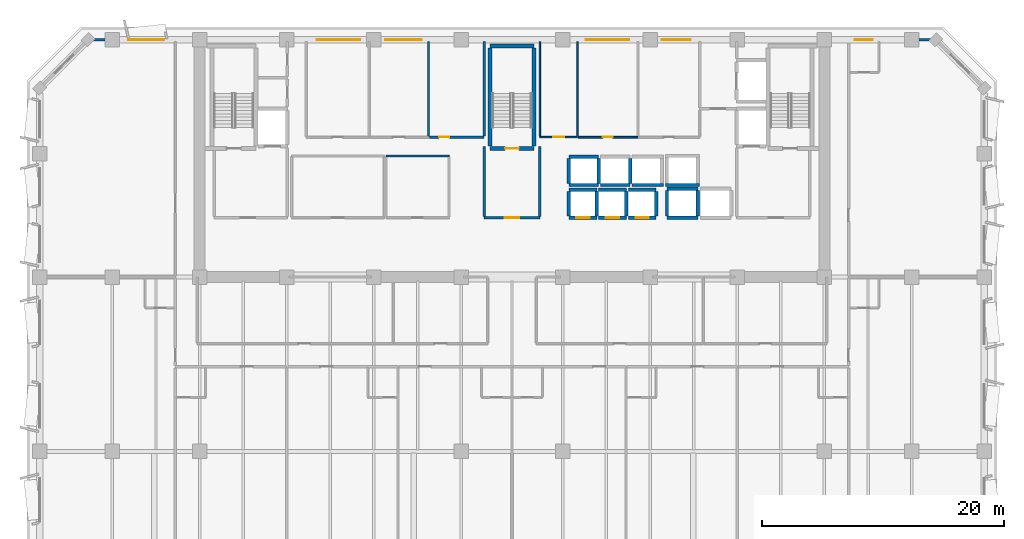
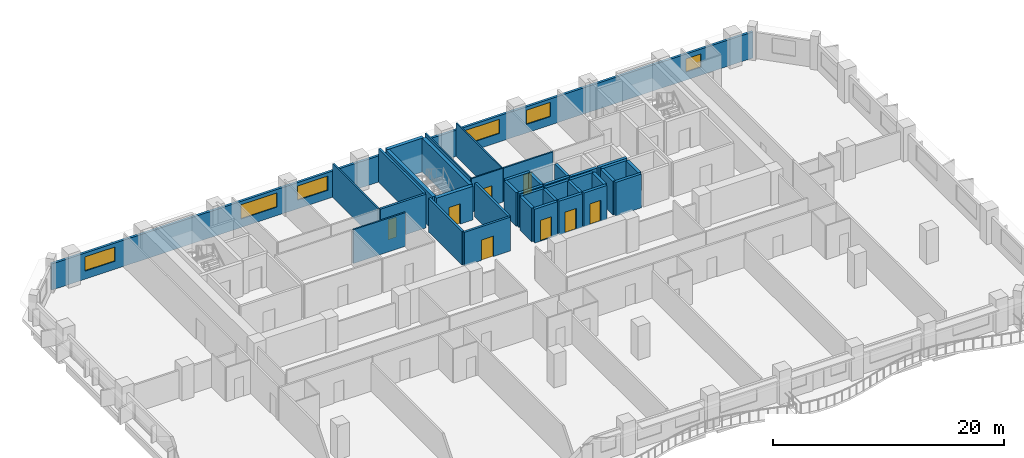
# One storey, part 7 of 14: 38 walls, 8 doors, 6 windows, 14 openings.
"""IFC4 building model written with IfcOpenShell, lengths in metres."""

from ifc_helpers import new_model, si_unit, direction, frame, frame_2d, origin, place, context, subcontext, project, spatial, rectangle, extrude, material, layer, layer_set, type_object, element, fill, save


model = new_model("IFC4")

# Units and contexts
model_context = context("Model", 3, precision=1e-05, world=origin(), true_north=direction((0.0, 1.0)))
body_context = subcontext(model_context, "Body", "Model", "MODEL_VIEW")
ifc_project = project(units=[si_unit("LENGTHUNIT", "METRE"), si_unit("AREAUNIT", "SQUARE_METRE"), si_unit("VOLUMEUNIT", "CUBIC_METRE"), si_unit("PLANEANGLEUNIT", "RADIAN"), si_unit("MASSUNIT", "GRAM", prefix="KILO")], contexts=[model_context])

# Site, building, storey
site_placement = place(None, origin())
site = spatial("IfcSite", under=ifc_project, at=site_placement, CompositionType="ELEMENT")
building_placement = place(site_placement, origin())
building = spatial("IfcBuilding", under=site, at=building_placement, Name="Kaelvorn Grand Hotel", CompositionType="ELEMENT")
storey_placement = place(building_placement, frame((0.0, 0.0, 197.75)))
storey = spatial("IfcBuildingStorey", under=building, at=storey_placement, Name="L48", CompositionType="ELEMENT", Elevation=197.75)

# Wall, openings, windows
ifc_material_1 = material(Name="Concrete C40/50", Category="concrete")
ifc_layer_1 = layer(ifc_material_1, 0.239990234375)
ifc_layer_set_1 = layer_set([ifc_layer_1], Name="Concrete C40/50")
wall_type_1 = type_object("IfcWallType", Name="WL-EXT-240-C40", PredefinedType="SOLIDWALL", material=ifc_layer_set_1)
wall_1_placement = place(storey_placement, frame((77.0, 49.0, 0.0), z_axis=(0.0, 0.0, 1.0), x_axis=(-1.0, 0.0, 0.0)))
wall_1 = element("IfcWall", 1, at=wall_1_placement, inside=storey, type_object=wall_type_1, Name="L48 Exterior Architectural Concrete Wall 05", PredefinedType="SOLIDWALL", context=body_context, shape_type="SweptSolid", body=[
    extrude(rectangle(XDim=70.0, YDim=0.239990234375, at=frame_2d((35.0, 0.0))), origin(), (0.0, 0.0, 1.0), 2.760009765625),
])
opening_1_placement = place(wall_1_placement, frame((63.699951171875, 0.0, 0.85009765625)))
opening_1 = element("IfcOpeningElement", 2, at=opening_1_placement, cuts=wall_1, Name="Opening W5", PredefinedType="OPENING", context=body_context, shape_type="SweptSolid", body=[
    extrude(rectangle(XDim=3.0, YDim=1.5, at=frame_2d((1.5, 0.75))), frame((0.0, 0.1298828125, 0.0), z_axis=(0.0, -1.0, 0.0), x_axis=(1.0, 0.0, 0.0)), (0.0, 0.0, 1.0), 0.260009765625),
])
opening_2_placement = place(wall_1_placement, frame((5.199951171875, 0.0, 0.85009765625)))
opening_2 = element("IfcOpeningElement", 3, at=opening_2_placement, cuts=wall_1, Name="Opening W10", PredefinedType="OPENING", context=body_context, shape_type="SweptSolid", body=[
    extrude(rectangle(XDim=1.5, YDim=1.39990234375, at=frame_2d((0.75, 0.699951171875))), frame((0.0, 0.1298828125, 0.0), z_axis=(0.0, -1.0, 0.0), x_axis=(1.0, 0.0, 0.0)), (0.0, 0.0, 1.0), 0.260009765625),
])
opening_3_placement = place(wall_1_placement, frame((47.514892578125, 0.0, 0.89990234375)))
opening_3 = element("IfcOpeningElement", 4, at=opening_3_placement, cuts=wall_1, Name="Opening W3", PredefinedType="OPENING", context=body_context, shape_type="SweptSolid", body=[
    extrude(rectangle(XDim=3.60009765625, YDim=1.5, at=frame_2d((1.800048828125, 0.75))), frame((0.0, 0.1298828125, 0.0), z_axis=(0.0, -1.0, 0.0), x_axis=(1.0, 0.0, 0.0)), (0.0, 0.0, 1.0), 0.260009765625),
])
opening_4_placement = place(wall_1_placement, frame((42.449951171875, 0.0, 0.89990234375)))
opening_4 = element("IfcOpeningElement", 5, at=opening_4_placement, cuts=wall_1, Name="Opening W5", PredefinedType="OPENING", context=body_context, shape_type="SweptSolid", body=[
    extrude(rectangle(XDim=3.0, YDim=1.5, at=frame_2d((1.5, 0.75))), frame((0.0, 0.1298828125, 0.0), z_axis=(0.0, -1.0, 0.0), x_axis=(1.0, 0.0, 0.0)), (0.0, 0.0, 1.0), 0.260009765625),
])
opening_5_placement = place(wall_1_placement, frame((25.300048828125, 0.0, 0.89990234375)))
opening_5 = element("IfcOpeningElement", 6, at=opening_5_placement, cuts=wall_1, Name="Opening W3", PredefinedType="OPENING", context=body_context, shape_type="SweptSolid", body=[
    extrude(rectangle(XDim=3.60009765625, YDim=1.5, at=frame_2d((1.800048828125, 0.75))), frame((0.0, 0.1298828125, 0.0), z_axis=(0.0, -1.0, 0.0), x_axis=(1.0, 0.0, 0.0)), (0.0, 0.0, 1.0), 0.260009765625),
])
opening_6_placement = place(wall_1_placement, frame((20.235107421875, 0.0, 0.89990234375)))
opening_6 = element("IfcOpeningElement", 7, at=opening_6_placement, cuts=wall_1, Name="Opening W6", PredefinedType="OPENING", context=body_context, shape_type="SweptSolid", body=[
    extrude(rectangle(XDim=2.39990234375, YDim=1.5, at=frame_2d((1.199951171875, 0.75))), frame((0.0, 0.1298828125, 0.0), z_axis=(0.0, -1.0, 0.0), x_axis=(1.0, 0.0, 0.0)), (0.0, 0.0, 1.0), 0.260009765625),
])
ifc_material_2 = material(Name="Laminated Low-E Glass", Category="glass")
window_type_1 = type_object("IfcWindowType", Name="WIN-COR-1500x1400", PartitioningType="SINGLE_PANEL", PredefinedType="WINDOW", material=ifc_material_2)
window_1_placement = place(opening_2_placement, origin())
window_1 = element("IfcWindow", 8, at=window_1_placement, inside=storey, type_object=window_type_1, Name="L48 North Wing Ribbon Window NW02", OverallHeight=1.39990234375, OverallWidth=1.5, PartitioningType="SINGLE_PANEL", PredefinedType="WINDOW", context=body_context, shape_type="SweptSolid", body=[
    extrude(rectangle(XDim=1.5, YDim=1.39990234375, at=frame_2d((0.75, 0.699951171875))), frame((0.0, 0.030029296875, 0.0), z_axis=(0.0, -1.0, 0.0), x_axis=(1.0, 0.0, 0.0)), (0.0, 0.0, 1.0), 0.06005859375),
])
fill(opening_2, window_1)
window_type_2 = type_object("IfcWindowType", Name="WIN-NTH-2400x1500", PartitioningType="SINGLE_PANEL", PredefinedType="WINDOW", material=ifc_material_2)
window_2_placement = place(opening_6_placement, origin())
window_2 = element("IfcWindow", 9, at=window_2_placement, inside=storey, type_object=window_type_2, Name="L48 North Core Clerestory Ribbon Window NC06", OverallHeight=1.5, OverallWidth=2.39990234375, PartitioningType="SINGLE_PANEL", PredefinedType="WINDOW", context=body_context, shape_type="SweptSolid", body=[
    extrude(rectangle(XDim=2.39990234375, YDim=1.5, at=frame_2d((1.199951171875, 0.75))), frame((0.0, 0.030029296875, 0.0), z_axis=(0.0, -1.0, 0.0), x_axis=(1.0, 0.0, 0.0)), (0.0, 0.0, 1.0), 0.06005859375),
])
fill(opening_6, window_2)
window_type_3 = type_object("IfcWindowType", Name="WIN-NTH-3000x1500", PartitioningType="SINGLE_PANEL", PredefinedType="WINDOW", material=ifc_material_2)
window_3_placement = place(opening_1_placement, origin())
window_3 = element("IfcWindow", 10, at=window_3_placement, inside=storey, type_object=window_type_3, Name="L48 North Wing Ribbon Window NW01", OverallHeight=1.5, OverallWidth=3.0, PartitioningType="SINGLE_PANEL", PredefinedType="WINDOW", context=body_context, shape_type="SweptSolid", body=[
    extrude(rectangle(XDim=3.0, YDim=1.5, at=frame_2d((1.5, 0.75))), frame((0.0, 0.030029296875, 0.0), z_axis=(0.0, -1.0, 0.0), x_axis=(1.0, 0.0, 0.0)), (0.0, 0.0, 1.0), 0.06005859375),
])
fill(opening_1, window_3)
window_4_placement = place(opening_4_placement, origin())
window_4 = element("IfcWindow", 11, at=window_4_placement, inside=storey, type_object=window_type_3, Name="L48 North Core Clerestory Ribbon Window NC04", OverallHeight=1.5, OverallWidth=3.0, PartitioningType="SINGLE_PANEL", PredefinedType="WINDOW", context=body_context, shape_type="SweptSolid", body=[
    extrude(rectangle(XDim=3.0, YDim=1.5, at=frame_2d((1.5, 0.75))), frame((0.0, 0.030029296875, 0.0), z_axis=(0.0, -1.0, 0.0), x_axis=(1.0, 0.0, 0.0)), (0.0, 0.0, 1.0), 0.06005859375),
])
fill(opening_4, window_4)
window_type_4 = type_object("IfcWindowType", Name="WIN-RIB-3600x1750", PartitioningType="SINGLE_PANEL", PredefinedType="WINDOW", material=ifc_material_2)
window_5_placement = place(opening_3_placement, origin())
window_5 = element("IfcWindow", 12, at=window_5_placement, inside=storey, type_object=window_type_4, Name="L48 North Core Clerestory Ribbon Window NC03", OverallHeight=1.5, OverallWidth=3.60009765625, PartitioningType="SINGLE_PANEL", PredefinedType="WINDOW", context=body_context, shape_type="SweptSolid", body=[
    extrude(rectangle(XDim=3.60009765625, YDim=1.5, at=frame_2d((1.800048828125, 0.75))), frame((0.0, 0.030029296875, 0.0), z_axis=(0.0, -1.0, 0.0), x_axis=(1.0, 0.0, 0.0)), (0.0, 0.0, 1.0), 0.06005859375),
])
fill(opening_3, window_5)
window_6_placement = place(opening_5_placement, origin())
window_6 = element("IfcWindow", 13, at=window_6_placement, inside=storey, type_object=window_type_4, Name="L48 North Core Clerestory Ribbon Window NC05", OverallHeight=1.5, OverallWidth=3.60009765625, PartitioningType="SINGLE_PANEL", PredefinedType="WINDOW", context=body_context, shape_type="SweptSolid", body=[
    extrude(rectangle(XDim=3.60009765625, YDim=1.5, at=frame_2d((1.800048828125, 0.75))), frame((0.0, 0.030029296875, 0.0), z_axis=(0.0, -1.0, 0.0), x_axis=(1.0, 0.0, 0.0)), (0.0, 0.0, 1.0), 0.06005859375),
])
fill(opening_5, window_6)

# Wall, opening, door
ifc_material_3 = material(Name="Moisture-Resistant Tile & Stud Board")
ifc_layer_2 = layer(ifc_material_3, 0.125)
ifc_layer_set_2 = layer_set([ifc_layer_2], Name="Moisture-Resistant Tile & Stud Board")
wall_type_2 = type_object("IfcWallType", Name="WL-PART-125-WET", PredefinedType="PARTITIONING", material=ifc_layer_set_2)
wall_2_placement = place(storey_placement, frame((44.300048828125, 40.949951171875, 0.0), z_axis=(0.0, 0.0, 1.0), x_axis=(1.0, 0.0, 0.0)))
wall_2 = element("IfcWall", 14, at=wall_2_placement, inside=storey, type_object=wall_type_2, Name="L48 Accessible WC S Partition", PredefinedType="PARTITIONING", context=body_context, shape_type="SweptSolid", body=[
    extrude(rectangle(XDim=3.099853515625, YDim=0.125, at=frame_2d((1.5498046875, 0.0))), origin(), (0.0, 0.0, 1.0), 3.56005859375),
])
opening_7_placement = place(wall_2_placement, frame((1.10009765625, 0.0, 0.0)))
opening_7 = element("IfcOpeningElement", 15, at=opening_7_placement, cuts=wall_2, Name="Opening DI4", PredefinedType="OPENING", context=body_context, shape_type="SweptSolid", body=[
    extrude(rectangle(XDim=0.89990234375, YDim=2.10009765625, at=frame_2d((0.449951171875, 1.050048828125))), frame((0.0, 0.072509765625, 0.0), z_axis=(0.0, -1.0, 0.0), x_axis=(1.0, 0.0, 0.0)), (0.0, 0.0, 1.0), 0.14501953125),
])
ifc_material_4 = material(Name="Timber Veneer Leaf", Category="wood")
door_type_1 = type_object("IfcDoorType", Name="DR-INT-BATH-900x2100", OperationType="NOTDEFINED", PredefinedType="DOOR", material=ifc_material_4)
door_1_placement = place(opening_7_placement, origin())
door_1 = element("IfcDoor", 16, at=door_1_placement, inside=storey, type_object=door_type_1, Name="L48 Accessible WC Door", OperationType="SINGLE_SWING_RIGHT", OverallHeight=2.10009765625, OverallWidth=0.89990234375, PredefinedType="DOOR", context=body_context, shape_type="SweptSolid", body=[
    extrude(rectangle(XDim=0.89990234375, YDim=2.10009765625, at=frame_2d((0.449951171875, 1.050048828125))), frame((0.0, 0.02490234375, 0.0), z_axis=(0.0, -1.0, 0.0), x_axis=(1.0, 0.0, 0.0)), (0.0, 0.0, 1.0), 0.050048828125),
])
fill(opening_7, door_1)

# Walls
for number, where, z_axis, x_axis, name in (
    (17, (44.300048828125, 41.017578125, 0.0), (0.0, 0.0, 1.0), (0.0, 1.0, 0.0), "L48 Accessible WC W Partition"),
    (18, (47.39990234375, 41.017578125, 0.0), (0.0, 0.0, 1.0), (0.0, 1.0, 0.0), "L48 Accessible WC E Partition"),
):
    element("IfcWall", number, at=place(storey_placement, frame(where, z_axis=z_axis, x_axis=x_axis)), inside=storey, type_object=wall_type_2, Name=name, PredefinedType="PARTITIONING", context=body_context, shape_type="SweptSolid", body=[
        extrude(rectangle(XDim=7.83251953125, YDim=0.125, at=frame_2d((3.916259765625, 0.0))), origin(), (0.0, 0.0, 1.0), 3.56005859375),
    ])
ifc_material_5 = material(Name="Acoustic Gypsum & Stud Partition")
ifc_layer_3 = layer(ifc_material_5, 0.14990234375)
ifc_layer_set_3 = layer_set([ifc_layer_3], Name="Acoustic Gypsum & Stud Partition")
wall_type_3 = type_object("IfcWallType", Name="WL-PART-150-EI60", PredefinedType="PARTITIONING", material=ifc_layer_set_3)
wall_3_placement = place(storey_placement, frame((31.60009765625, 39.39990234375, 0.0), z_axis=(0.0, 0.0, 1.0), x_axis=(1.0, 0.0, 0.0)))
element("IfcWall", 19, at=wall_3_placement, inside=storey, type_object=wall_type_3, Name="L48 Core Telecoms & BMS Server Room N Partition", PredefinedType="PARTITIONING", context=body_context, shape_type="SweptSolid", body=[
    extrude(rectangle(XDim=5.199951171875, YDim=0.14990234375, at=frame_2d((2.60009765625, 0.0))), origin(), (0.0, 0.0, 1.0), 3.56005859375),
])
wall_4_placement = place(storey_placement, frame((35.10009765625, 41.030029296875, 0.0), z_axis=(0.0, 0.0, 1.0), x_axis=(0.0, 1.0, 0.0)))
element("IfcWall", 20, at=wall_4_placement, inside=storey, type_object=wall_type_3, Name="L48 Room Service Servery Pantry E Partition", PredefinedType="PARTITIONING", context=body_context, shape_type="SweptSolid", body=[
    extrude(rectangle(XDim=7.820068359375, YDim=0.14990234375, at=frame_2d((3.91015625, 0.0))), origin(), (0.0, 0.0, 1.0), 3.56005859375),
])

# Wall, opening, door
wall_5_placement = place(storey_placement, frame((47.467529296875, 40.949951171875, 0.0), z_axis=(0.0, 0.0, 1.0), x_axis=(1.0, 0.0, 0.0)))
wall_5 = element("IfcWall", 21, at=wall_5_placement, inside=storey, type_object=wall_type_3, Name="L48 Valet & Luggage Store S Partition", PredefinedType="PARTITIONING", context=body_context, shape_type="SweptSolid", body=[
    extrude(rectangle(XDim=4.932373046875, YDim=0.14990234375, at=frame_2d((2.46630859375, 0.0))), origin(), (0.0, 0.0, 1.0), 3.56005859375),
])
opening_8_placement = place(wall_5_placement, frame((2.007568359375, 0.0, 0.0)))
opening_8 = element("IfcOpeningElement", 22, at=opening_8_placement, cuts=wall_5, Name="Opening DI7", PredefinedType="OPENING", context=body_context, shape_type="SweptSolid", body=[
    extrude(rectangle(XDim=0.85009765625, YDim=2.10009765625, at=frame_2d((0.425048828125, 1.050048828125))), frame((0.0, 0.0849609375, 0.0), z_axis=(0.0, -1.0, 0.0), x_axis=(1.0, 0.0, 0.0)), (0.0, 0.0, 1.0), 0.169921875),
])
ifc_material_6 = material(Name="Powder-Coated Steel Leaf", Category="steel")
door_type_2 = type_object("IfcDoorType", Name="DR-INT-RISER-850x2100", OperationType="NOTDEFINED", PredefinedType="DOOR", material=ifc_material_6)
door_2_placement = place(opening_8_placement, origin())
door_2 = element("IfcDoor", 23, at=door_2_placement, inside=storey, type_object=door_type_2, Name="L48 Valet & Luggage Store Door", OperationType="SINGLE_SWING_LEFT", OverallHeight=2.10009765625, OverallWidth=0.85009765625, PredefinedType="DOOR", context=body_context, shape_type="SweptSolid", body=[
    extrude(rectangle(XDim=0.85009765625, YDim=2.10009765625, at=frame_2d((0.425048828125, 1.050048828125))), frame((0.0, 0.02490234375, 0.0), z_axis=(0.0, -1.0, 0.0), x_axis=(1.0, 0.0, 0.0)), (0.0, 0.0, 1.0), 0.050048828125),
])
fill(opening_8, door_2)

ifc_layer_4 = layer(ifc_material_1, 0.219970703125)
ifc_layer_set_4 = layer_set([ifc_layer_4], Name="Concrete C40/50")
wall_type_4 = type_object("IfcWallType", Name="WL-PART-220-EI120", PredefinedType="PARTITIONING", material=ifc_layer_set_4)
wall_6_placement = place(storey_placement, frame((39.699951171875, 34.300048828125, 0.0), z_axis=(0.0, 0.0, 1.0), x_axis=(1.0, 0.0, 0.0)))
wall_6 = element("IfcWall", 24, at=wall_6_placement, inside=storey, type_object=wall_type_4, Name="L48 Central Stair Escape Vestibule S Partition", PredefinedType="PARTITIONING", context=body_context, shape_type="SweptSolid", body=[
    extrude(rectangle(XDim=4.60009765625, YDim=0.219970703125, at=frame_2d((2.300048828125, 0.0))), origin(), (0.0, 0.0, 1.0), 3.56005859375),
])
opening_9_placement = place(wall_6_placement, frame((1.699951171875, 0.0, 0.0)))
opening_9 = element("IfcOpeningElement", 25, at=opening_9_placement, cuts=wall_6, Name="Opening DI2", PredefinedType="OPENING", context=body_context, shape_type="SweptSolid", body=[
    extrude(rectangle(XDim=1.199951171875, YDim=2.14990234375, at=frame_2d((0.60009765625, 1.074951171875))), frame((0.0, 0.1201171875, 0.0), z_axis=(0.0, -1.0, 0.0), x_axis=(1.0, 0.0, 0.0)), (0.0, 0.0, 1.0), 0.239990234375),
])
ifc_material_7 = material(Name="Timber Veneer Fire Leaf", Category="wood")
door_type_3 = type_object("IfcDoorType", Name="DR-INT-FFLOB-1200x2150", OperationType="NOTDEFINED", PredefinedType="DOOR", material=ifc_material_7)
door_3_placement = place(opening_9_placement, origin())
door_3 = element("IfcDoor", 26, at=door_3_placement, inside=storey, type_object=door_type_3, Name="L48 Central Stair Escape Vestibule Door", OperationType="SINGLE_SWING_LEFT", OverallHeight=2.14990234375, OverallWidth=1.199951171875, PredefinedType="DOOR", context=body_context, shape_type="SweptSolid", body=[
    extrude(rectangle(XDim=1.199951171875, YDim=2.14990234375, at=frame_2d((0.60009765625, 1.074951171875))), frame((0.0, 0.02490234375, 0.0), z_axis=(0.0, -1.0, 0.0), x_axis=(1.0, 0.0, 0.0)), (0.0, 0.0, 1.0), 0.050048828125),
])
fill(opening_9, door_3)

# Walls
for number, where, z_axis, x_axis, name in (
    (27, (39.699951171875, 34.4150390625, 0.0), (0.0, 0.0, 1.0), (0.0, 1.0, 0.0), "L48 Central Stair Escape Vestibule W Partition"),
    (28, (44.300048828125, 34.4150390625, 0.0), (0.0, 0.0, 1.0), (0.0, 1.0, 0.0), "L48 Central Stair Escape Vestibule E Partition"),
):
    element("IfcWall", number, at=place(storey_placement, frame(where, z_axis=z_axis, x_axis=x_axis)), inside=storey, type_object=wall_type_4, Name=name, PredefinedType="PARTITIONING", context=body_context, shape_type="SweptSolid", body=[
        extrude(rectangle(XDim=5.784912109375, YDim=0.219970703125, at=frame_2d((2.892578125, 0.0))), origin(), (0.0, 0.0, 1.0), 3.56005859375),
    ])

# Wall, opening, door
wall_7_placement = place(storey_placement, frame((35.179931640625, 40.949951171875, 0.0), z_axis=(0.0, 0.0, 1.0), x_axis=(1.0, 0.0, 0.0)))
wall_7 = element("IfcWall", 29, at=wall_7_placement, inside=storey, type_object=wall_type_4, Name="L48 Floor Electrical Switchroom S Partition", PredefinedType="PARTITIONING", context=body_context, shape_type="SweptSolid", body=[
    extrude(rectangle(XDim=4.52001953125, YDim=0.219970703125, at=frame_2d((2.260009765625, 0.0))), origin(), (0.0, 0.0, 1.0), 3.56005859375),
])
opening_10_placement = place(wall_7_placement, frame((0.794921875, 0.0, 0.0)))
opening_10 = element("IfcOpeningElement", 30, at=opening_10_placement, cuts=wall_7, Name="Opening DI7", PredefinedType="OPENING", context=body_context, shape_type="SweptSolid", body=[
    extrude(rectangle(XDim=0.85009765625, YDim=2.10009765625, at=frame_2d((0.425048828125, 1.050048828125))), frame((0.0, 0.1201171875, 0.0), z_axis=(0.0, -1.0, 0.0), x_axis=(1.0, 0.0, 0.0)), (0.0, 0.0, 1.0), 0.239990234375),
])
door_4_placement = place(opening_10_placement, origin())
door_4 = element("IfcDoor", 31, at=door_4_placement, inside=storey, type_object=door_type_2, Name="L48 Floor Electrical Switchroom Door", OperationType="SINGLE_SWING_LEFT", OverallHeight=2.10009765625, OverallWidth=0.85009765625, PredefinedType="DOOR", context=body_context, shape_type="SweptSolid", body=[
    extrude(rectangle(XDim=0.85009765625, YDim=2.10009765625, at=frame_2d((0.425048828125, 1.050048828125))), frame((0.0, 0.02490234375, 0.0), z_axis=(0.0, -1.0, 0.0), x_axis=(1.0, 0.0, 0.0)), (0.0, 0.0, 1.0), 0.050048828125),
])
fill(opening_10, door_4)

# Wall
wall_8_placement = place(storey_placement, frame((39.699951171875, 41.06494140625, 0.0), z_axis=(0.0, 0.0, 1.0), x_axis=(0.0, 1.0, 0.0)))
element("IfcWall", 32, at=wall_8_placement, inside=storey, type_object=wall_type_4, Name="L48 Floor Electrical Switchroom E Partition", PredefinedType="PARTITIONING", context=body_context, shape_type="SweptSolid", body=[
    extrude(rectangle(XDim=7.78515625, YDim=0.219970703125, at=frame_2d((3.892578125, 0.0))), origin(), (0.0, 0.0, 1.0), 3.56005859375),
])

# Wall, opening, door
ifc_material_8 = material(Name="Concrete C50/60", Category="concrete")
ifc_layer_5 = layer(ifc_material_8, 0.280029296875)
ifc_layer_set_5 = layer_set([ifc_layer_5], Name="Concrete C50/60")
wall_type_5 = type_object("IfcWallType", Name="WL-SHAFT-280-C50", PredefinedType="SHEAR", material=ifc_layer_set_5)
wall_9_placement = place(storey_placement, frame((46.699951171875, 34.300048828125, 0.0), z_axis=(0.0, 0.0, 1.0), x_axis=(1.0, 0.0, 0.0)))
wall_9 = element("IfcWall", 33, at=wall_9_placement, inside=storey, type_object=wall_type_5, Name="L48 Lift PL-M1 Shaft South Wall", PredefinedType="SHEAR", context=body_context, shape_type="SweptSolid", body=[
    extrude(rectangle(XDim=2.300048828125, YDim=0.280029296875, at=frame_2d((1.14990234375, 0.0))), origin(), (0.0, 0.0, 1.0), 3.56005859375),
])
opening_11_placement = place(wall_9_placement, frame((0.60009765625, 0.0, 0.0)))
opening_11 = element("IfcOpeningElement", 34, at=opening_11_placement, cuts=wall_9, Name="Opening LD-PL-M1", PredefinedType="OPENING", context=body_context, shape_type="SweptSolid", body=[
    extrude(rectangle(XDim=1.10009765625, YDim=2.199951171875, at=frame_2d((0.550048828125, 1.10009765625))), frame((0.0, 0.14990234375, 0.0), z_axis=(0.0, -1.0, 0.0), x_axis=(1.0, 0.0, 0.0)), (0.0, 0.0, 1.0), 0.300048828125),
])
ifc_material_9 = material(Name="Stainless Steel", Category="steel")
door_type_4 = type_object("IfcDoorType", Name="DR-LIFT-PASS-1100x2200", OperationType="DOUBLE_DOOR_SLIDING", PredefinedType="DOOR", material=ifc_material_9)
door_5_placement = place(opening_11_placement, origin())
door_5 = element("IfcDoor", 35, at=door_5_placement, inside=storey, type_object=door_type_4, Name="L48 Lift PL-M1 Sliding Landing Door LD-PL-M1", OperationType="DOUBLE_DOOR_SLIDING", OverallHeight=2.199951171875, OverallWidth=1.10009765625, PredefinedType="DOOR", context=body_context, shape_type="SweptSolid", body=[
    extrude(rectangle(XDim=1.10009765625, YDim=2.199951171875, at=frame_2d((0.550048828125, 1.10009765625))), frame((0.0, 0.02490234375, 0.0), z_axis=(0.0, -1.0, 0.0), x_axis=(1.0, 0.0, 0.0)), (0.0, 0.0, 1.0), 0.050048828125),
])
fill(opening_11, door_5)

# Walls
wall_10_placement = place(storey_placement, frame((46.699951171875, 36.60009765625, 0.0), z_axis=(0.0, 0.0, 1.0), x_axis=(1.0, 0.0, 0.0)))
element("IfcWall", 36, at=wall_10_placement, inside=storey, type_object=wall_type_5, Name="L48 Lift PL-M1 Shaft North Wall", PredefinedType="SHEAR", context=body_context, shape_type="SweptSolid", body=[
    extrude(rectangle(XDim=2.300048828125, YDim=0.280029296875, at=frame_2d((1.14990234375, 0.0))), origin(), (0.0, 0.0, 1.0), 3.56005859375),
])
for number, where, z_axis, x_axis, name in (
    (37, (46.699951171875, 34.445068359375, 0.0), (0.0, 0.0, 1.0), (0.0, 1.0, 0.0), "L48 Lift PL-M1 Shaft West Wall"),
    (38, (49.0, 34.445068359375, 0.0), (0.0, 0.0, 1.0), (0.0, 1.0, 0.0), "L48 Lift PL-M1 Shaft East Wall"),
):
    element("IfcWall", number, at=place(storey_placement, frame(where, z_axis=z_axis, x_axis=x_axis)), inside=storey, type_object=wall_type_5, Name=name, PredefinedType="SHEAR", context=body_context, shape_type="SweptSolid", body=[
        extrude(rectangle(XDim=2.010009765625, YDim=0.280029296875, at=frame_2d((1.0048828125, 0.0))), origin(), (0.0, 0.0, 1.0), 3.56005859375),
    ])

# Wall, opening, door
wall_11_placement = place(storey_placement, frame((49.14990234375, 34.300048828125, 0.0), z_axis=(0.0, 0.0, 1.0), x_axis=(1.0, 0.0, 0.0)))
wall_11 = element("IfcWall", 39, at=wall_11_placement, inside=storey, type_object=wall_type_5, Name="L48 Lift PL-M2 Shaft South Wall", PredefinedType="SHEAR", context=body_context, shape_type="SweptSolid", body=[
    extrude(rectangle(XDim=2.300048828125, YDim=0.280029296875, at=frame_2d((1.14990234375, 0.0))), origin(), (0.0, 0.0, 1.0), 3.56005859375),
])
opening_12_placement = place(wall_11_placement, frame((0.60009765625, 0.0, 0.0)))
opening_12 = element("IfcOpeningElement", 40, at=opening_12_placement, cuts=wall_11, Name="Opening LD-PL-M2", PredefinedType="OPENING", context=body_context, shape_type="SweptSolid", body=[
    extrude(rectangle(XDim=1.10009765625, YDim=2.199951171875, at=frame_2d((0.550048828125, 1.10009765625))), frame((0.0, 0.14990234375, 0.0), z_axis=(0.0, -1.0, 0.0), x_axis=(1.0, 0.0, 0.0)), (0.0, 0.0, 1.0), 0.300048828125),
])
door_6_placement = place(opening_12_placement, origin())
door_6 = element("IfcDoor", 41, at=door_6_placement, inside=storey, type_object=door_type_4, Name="L48 Lift PL-M2 Sliding Landing Door LD-PL-M2", OperationType="DOUBLE_DOOR_SLIDING", OverallHeight=2.199951171875, OverallWidth=1.10009765625, PredefinedType="DOOR", context=body_context, shape_type="SweptSolid", body=[
    extrude(rectangle(XDim=1.10009765625, YDim=2.199951171875, at=frame_2d((0.550048828125, 1.10009765625))), frame((0.0, 0.02490234375, 0.0), z_axis=(0.0, -1.0, 0.0), x_axis=(1.0, 0.0, 0.0)), (0.0, 0.0, 1.0), 0.050048828125),
])
fill(opening_12, door_6)

# Walls
wall_12_placement = place(storey_placement, frame((49.14990234375, 36.60009765625, 0.0), z_axis=(0.0, 0.0, 1.0), x_axis=(1.0, 0.0, 0.0)))
element("IfcWall", 42, at=wall_12_placement, inside=storey, type_object=wall_type_5, Name="L48 Lift PL-M2 Shaft North Wall", PredefinedType="SHEAR", context=body_context, shape_type="SweptSolid", body=[
    extrude(rectangle(XDim=2.300048828125, YDim=0.280029296875, at=frame_2d((1.14990234375, 0.0))), origin(), (0.0, 0.0, 1.0), 3.56005859375),
])
wall_13_placement = place(storey_placement, frame((51.449951171875, 34.445068359375, 0.0), z_axis=(0.0, 0.0, 1.0), x_axis=(0.0, 1.0, 0.0)))
element("IfcWall", 43, at=wall_13_placement, inside=storey, type_object=wall_type_5, Name="L48 Lift PL-M2 Shaft East Wall", PredefinedType="SHEAR", context=body_context, shape_type="SweptSolid", body=[
    extrude(rectangle(XDim=2.010009765625, YDim=0.280029296875, at=frame_2d((1.0048828125, 0.0))), origin(), (0.0, 0.0, 1.0), 3.56005859375),
])

# Wall, opening, door
wall_14_placement = place(storey_placement, frame((51.60009765625, 34.300048828125, 0.0), z_axis=(0.0, 0.0, 1.0), x_axis=(1.0, 0.0, 0.0)))
wall_14 = element("IfcWall", 44, at=wall_14_placement, inside=storey, type_object=wall_type_5, Name="L48 Lift PL-M3 Shaft South Wall", PredefinedType="SHEAR", context=body_context, shape_type="SweptSolid", body=[
    extrude(rectangle(XDim=2.2998046875, YDim=0.280029296875, at=frame_2d((1.14990234375, 0.0))), origin(), (0.0, 0.0, 1.0), 3.56005859375),
])
opening_13_placement = place(wall_14_placement, frame((0.60009765625, 0.0, 0.0)))
opening_13 = element("IfcOpeningElement", 45, at=opening_13_placement, cuts=wall_14, Name="Opening LD-PL-M3", PredefinedType="OPENING", context=body_context, shape_type="SweptSolid", body=[
    extrude(rectangle(XDim=1.10009765625, YDim=2.199951171875, at=frame_2d((0.550048828125, 1.10009765625))), frame((0.0, 0.14990234375, 0.0), z_axis=(0.0, -1.0, 0.0), x_axis=(1.0, 0.0, 0.0)), (0.0, 0.0, 1.0), 0.300048828125),
])
door_7_placement = place(opening_13_placement, origin())
door_7 = element("IfcDoor", 46, at=door_7_placement, inside=storey, type_object=door_type_4, Name="L48 Lift PL-M3 Sliding Landing Door LD-PL-M3", OperationType="DOUBLE_DOOR_SLIDING", OverallHeight=2.199951171875, OverallWidth=1.10009765625, PredefinedType="DOOR", context=body_context, shape_type="SweptSolid", body=[
    extrude(rectangle(XDim=1.10009765625, YDim=2.199951171875, at=frame_2d((0.550048828125, 1.10009765625))), frame((0.0, 0.02490234375, 0.0), z_axis=(0.0, -1.0, 0.0), x_axis=(1.0, 0.0, 0.0)), (0.0, 0.0, 1.0), 0.050048828125),
])
fill(opening_13, door_7)

# Walls
wall_15_placement = place(storey_placement, frame((51.60009765625, 36.60009765625, 0.0), z_axis=(0.0, 0.0, 1.0), x_axis=(1.0, 0.0, 0.0)))
element("IfcWall", 47, at=wall_15_placement, inside=storey, type_object=wall_type_5, Name="L48 Lift PL-M3 Shaft North Wall", PredefinedType="SHEAR", context=body_context, shape_type="SweptSolid", body=[
    extrude(rectangle(XDim=2.2998046875, YDim=0.280029296875, at=frame_2d((1.14990234375, 0.0))), origin(), (0.0, 0.0, 1.0), 3.56005859375),
])
wall_16_placement = place(storey_placement, frame((53.89990234375, 34.445068359375, 0.0), z_axis=(0.0, 0.0, 1.0), x_axis=(0.0, 1.0, 0.0)))
element("IfcWall", 48, at=wall_16_placement, inside=storey, type_object=wall_type_5, Name="L48 Lift PL-M3 Shaft East Wall", PredefinedType="SHEAR", context=body_context, shape_type="SweptSolid", body=[
    extrude(rectangle(XDim=2.010009765625, YDim=0.280029296875, at=frame_2d((1.0048828125, 0.0))), origin(), (0.0, 0.0, 1.0), 3.56005859375),
])
for number, where, z_axis, x_axis, name in (
    (49, (46.699951171875, 37.0, 0.0), (0.0, 0.0, 1.0), (1.0, 0.0, 0.0), "L48 Lift SL-1 Shaft South Wall"),
    (50, (46.699951171875, 39.35009765625, 0.0), (0.0, 0.0, 1.0), (1.0, 0.0, 0.0), "L48 Lift SL-1 Shaft North Wall"),
):
    element("IfcWall", number, at=place(storey_placement, frame(where, z_axis=z_axis, x_axis=x_axis)), inside=storey, type_object=wall_type_5, Name=name, PredefinedType="SHEAR", context=body_context, shape_type="SweptSolid", body=[
        extrude(rectangle(XDim=2.449951171875, YDim=0.280029296875, at=frame_2d((1.22509765625, 0.0))), origin(), (0.0, 0.0, 1.0), 3.56005859375),
    ])
for number, where, z_axis, x_axis, name in (
    (51, (46.699951171875, 37.14501953125, 0.0), (0.0, 0.0, 1.0), (0.0, 1.0, 0.0), "L48 Lift SL-1 Shaft West Wall"),
    (52, (49.14990234375, 37.14501953125, 0.0), (0.0, 0.0, 1.0), (0.0, 1.0, 0.0), "L48 Lift SL-1 Shaft East Wall"),
):
    element("IfcWall", number, at=place(storey_placement, frame(where, z_axis=z_axis, x_axis=x_axis)), inside=storey, type_object=wall_type_5, Name=name, PredefinedType="SHEAR", context=body_context, shape_type="SweptSolid", body=[
        extrude(rectangle(XDim=2.06005859375, YDim=0.280029296875, at=frame_2d((1.030029296875, 0.0))), origin(), (0.0, 0.0, 1.0), 3.56005859375),
    ])
wall_17_placement = place(storey_placement, frame((49.300048828125, 37.0, 0.0), z_axis=(0.0, 0.0, 1.0), x_axis=(1.0, 0.0, 0.0)))
element("IfcWall", 53, at=wall_17_placement, inside=storey, type_object=wall_type_5, Name="L48 Lift SL-2 Shaft South Wall", PredefinedType="SHEAR", context=body_context, shape_type="SweptSolid", body=[
    extrude(rectangle(XDim=2.449951171875, YDim=0.280029296875, at=frame_2d((1.22509765625, 0.0))), origin(), (0.0, 0.0, 1.0), 3.56005859375),
])
wall_18_placement = place(storey_placement, frame((51.75, 37.14501953125, 0.0), z_axis=(0.0, 0.0, 1.0), x_axis=(0.0, 1.0, 0.0)))
element("IfcWall", 54, at=wall_18_placement, inside=storey, type_object=wall_type_5, Name="L48 Lift SL-2 Shaft East Wall", PredefinedType="SHEAR", context=body_context, shape_type="SweptSolid", body=[
    extrude(rectangle(XDim=2.06005859375, YDim=0.280029296875, at=frame_2d((1.030029296875, 0.0))), origin(), (0.0, 0.0, 1.0), 3.56005859375),
])
wall_19_placement = place(storey_placement, frame((51.89990234375, 37.0, 0.0), z_axis=(0.0, 0.0, 1.0), x_axis=(1.0, 0.0, 0.0)))
element("IfcWall", 55, at=wall_19_placement, inside=storey, type_object=wall_type_5, Name="L48 Lift SL-3 Shaft South Wall", PredefinedType="SHEAR", context=body_context, shape_type="SweptSolid", body=[
    extrude(rectangle(XDim=2.590087890625, YDim=0.280029296875, at=frame_2d((1.294921875, 0.0))), origin(), (0.0, 0.0, 1.0), 3.56005859375),
])
for number, where, z_axis, x_axis, name in (
    (56, (54.800048828125, 34.300048828125, 0.0), (0.0, 0.0, 1.0), (1.0, 0.0, 0.0), "L48 Lift OL-1 Shaft South Wall"),
    (57, (54.800048828125, 36.699951171875, 0.0), (0.0, 0.0, 1.0), (1.0, 0.0, 0.0), "L48 Lift OL-1 Shaft North Wall"),
):
    element("IfcWall", number, at=place(storey_placement, frame(where, z_axis=z_axis, x_axis=x_axis)), inside=storey, type_object=wall_type_5, Name=name, PredefinedType="SHEAR", context=body_context, shape_type="SweptSolid", body=[
        extrude(rectangle(XDim=2.550048828125, YDim=0.280029296875, at=frame_2d((1.27490234375, 0.0))), origin(), (0.0, 0.0, 1.0), 3.56005859375),
    ])
for number, where, z_axis, x_axis, name in (
    (58, (54.800048828125, 34.445068359375, 0.0), (0.0, 0.0, 1.0), (0.0, 1.0, 0.0), "L48 Lift OL-1 Shaft West Wall"),
    (59, (57.35009765625, 34.445068359375, 0.0), (0.0, 0.0, 1.0), (0.0, 1.0, 0.0), "L48 Lift OL-1 Shaft East Wall"),
):
    element("IfcWall", number, at=place(storey_placement, frame(where, z_axis=z_axis, x_axis=x_axis)), inside=storey, type_object=wall_type_5, Name=name, PredefinedType="SHEAR", context=body_context, shape_type="SweptSolid", body=[
        extrude(rectangle(XDim=2.10986328125, YDim=0.280029296875, at=frame_2d((1.054931640625, 0.0))), origin(), (0.0, 0.0, 1.0), 3.56005859375),
    ])
wall_20_placement = place(storey_placement, frame((54.659912109375, 37.0, 0.0), z_axis=(0.0, 0.0, 1.0), x_axis=(1.0, 0.0, 0.0)))
element("IfcWall", 60, at=wall_20_placement, inside=storey, type_object=wall_type_5, Name="L48 Lift OL-3 Shaft South Wall", PredefinedType="SHEAR", context=body_context, shape_type="SweptSolid", body=[
    extrude(rectangle(XDim=2.830078125, YDim=0.280029296875, at=frame_2d((1.4150390625, 0.0))), origin(), (0.0, 0.0, 1.0), 3.56005859375),
])

# Wall, opening, door
ifc_material_10 = material(Name="Concrete C60/75", Category="concrete")
ifc_layer_6 = layer(ifc_material_10, 0.35009765625)
ifc_layer_set_6 = layer_set([ifc_layer_6], Name="Concrete C60/75")
wall_type_6 = type_object("IfcWallType", Name="WL-SHAFT-350-C60", PredefinedType="SHEAR", material=ifc_layer_set_6)
wall_21_placement = place(storey_placement, frame((40.18505859375, 40.02490234375, 0.0), z_axis=(0.0, 0.0, 1.0), x_axis=(1.0, 0.0, 0.0)))
wall_21 = element("IfcWall", 61, at=wall_21_placement, inside=storey, type_object=wall_type_6, Name="L48 ST2 Stair Shaft South Wall", PredefinedType="SHEAR", context=body_context, shape_type="SweptSolid", body=[
    extrude(rectangle(XDim=3.6298828125, YDim=0.35009765625, at=frame_2d((1.81494140625, 0.0))), origin(), (0.0, 0.0, 1.0), 3.56005859375),
])
opening_14_placement = place(wall_21_placement, frame((1.239990234375, 0.0, 0.0)))
opening_14 = element("IfcOpeningElement", 62, at=opening_14_placement, cuts=wall_21, Name="Opening DI1", PredefinedType="OPENING", context=body_context, shape_type="SweptSolid", body=[
    extrude(rectangle(XDim=1.14990234375, YDim=2.14990234375, at=frame_2d((0.574951171875, 1.074951171875))), frame((0.0, 0.18505859375, 0.0), z_axis=(0.0, -1.0, 0.0), x_axis=(1.0, 0.0, 0.0)), (0.0, 0.0, 1.0), 0.3701171875),
])
door_type_5 = type_object("IfcDoorType", Name="DR-INT-STAIR-1150x2150", OperationType="NOTDEFINED", PredefinedType="DOOR", material=ifc_material_7)
door_8_placement = place(opening_14_placement, origin())
door_8 = element("IfcDoor", 63, at=door_8_placement, inside=storey, type_object=door_type_5, Name="L48 ST2 Exit Stair Fire Door", OperationType="SINGLE_SWING_LEFT", OverallHeight=2.14990234375, OverallWidth=1.14990234375, PredefinedType="DOOR", context=body_context, shape_type="SweptSolid", body=[
    extrude(rectangle(XDim=1.14990234375, YDim=2.14990234375, at=frame_2d((0.574951171875, 1.074951171875))), frame((0.0, 0.02490234375, 0.0), z_axis=(0.0, -1.0, 0.0), x_axis=(1.0, 0.0, 0.0)), (0.0, 0.0, 1.0), 0.050048828125),
])
fill(opening_14, door_8)

# Walls
wall_22_placement = place(storey_placement, frame((40.18505859375, 48.47509765625, 0.0), z_axis=(0.0, 0.0, 1.0), x_axis=(1.0, 0.0, 0.0)))
element("IfcWall", 64, at=wall_22_placement, inside=storey, type_object=wall_type_6, Name="L48 ST2 Stair Shaft North Wall", PredefinedType="SHEAR", context=body_context, shape_type="SweptSolid", body=[
    extrude(rectangle(XDim=3.6298828125, YDim=0.35009765625, at=frame_2d((1.81494140625, 0.0))), origin(), (0.0, 0.0, 1.0), 3.56005859375),
])
for number, where, z_axis, x_axis, name in (
    (65, (40.18505859375, 40.205078125, 0.0), (0.0, 0.0, 1.0), (0.0, 1.0, 0.0), "L48 ST2 Stair Shaft West Wall"),
    (66, (43.81494140625, 40.205078125, 0.0), (0.0, 0.0, 1.0), (0.0, 1.0, 0.0), "L48 ST2 Stair Shaft East Wall"),
):
    element("IfcWall", number, at=place(storey_placement, frame(where, z_axis=z_axis, x_axis=x_axis)), inside=storey, type_object=wall_type_6, Name=name, PredefinedType="SHEAR", context=body_context, shape_type="SweptSolid", body=[
        extrude(rectangle(XDim=8.08984375, YDim=0.35009765625, at=frame_2d((4.044921875, 0.0))), origin(), (0.0, 0.0, 1.0), 3.56005859375),
    ])

save(model, "model.ifc")
